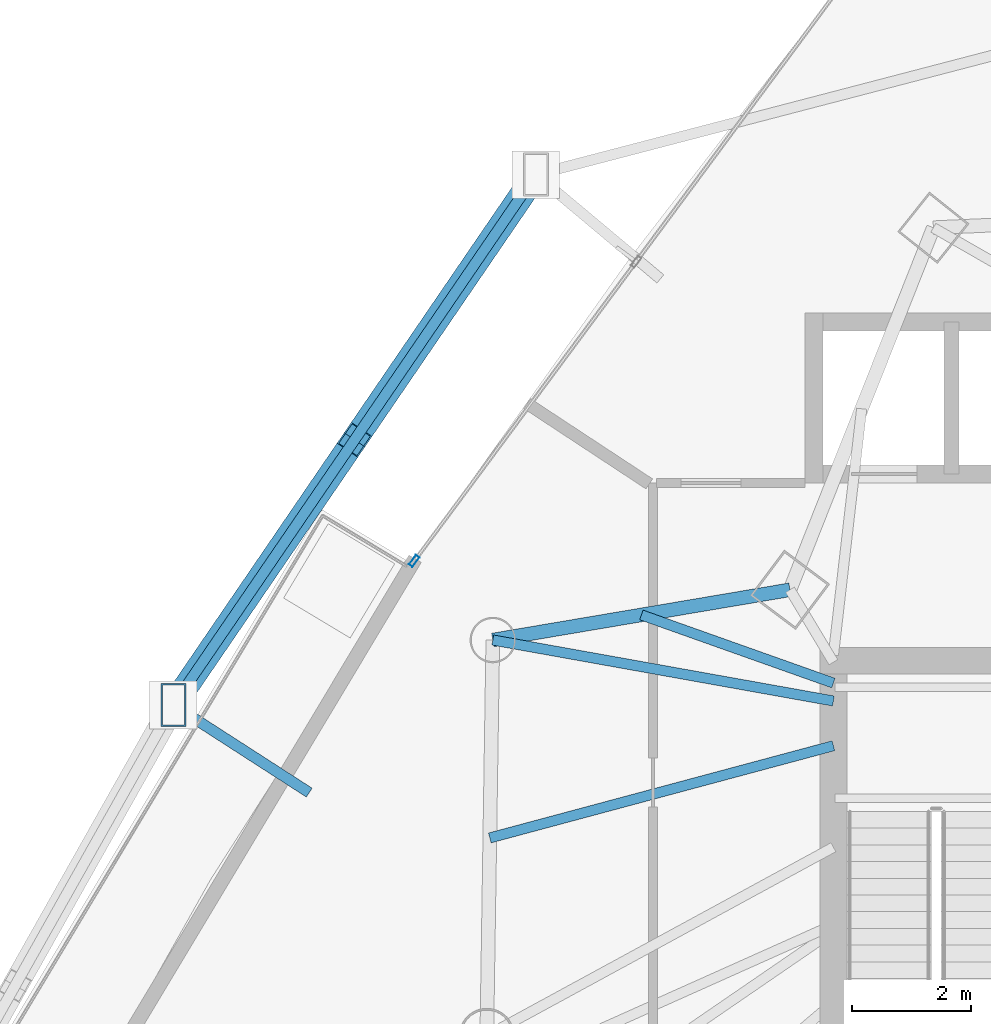
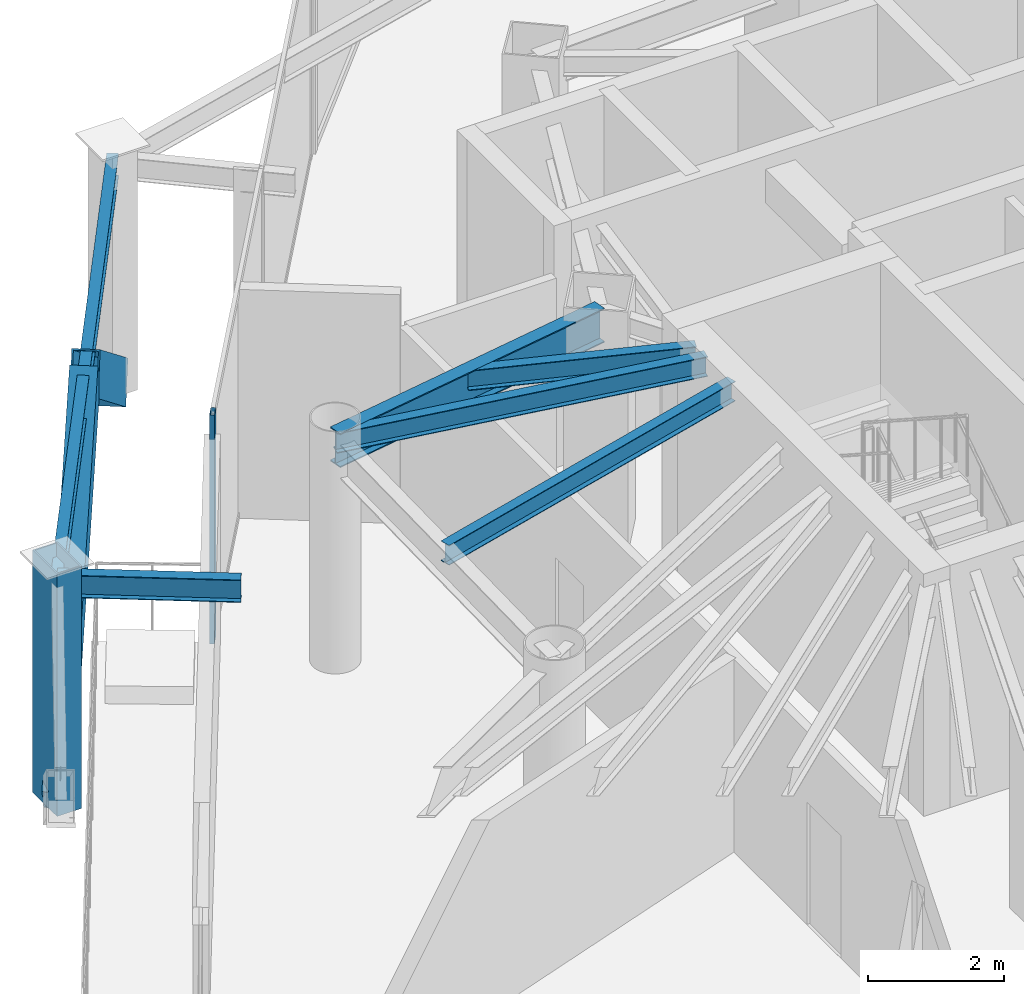
# One storey, part 19 of 33: 6 beams, 4 members, 1 element without a shape of its own.
"""IFC4 building model written with IfcOpenShell, lengths in metres."""

from ifc_helpers import new_model, si_unit, direction, frame, origin, origin_2d, place, context, subcontext, project, spatial, hollow_rectangle, i_section, extrude, material, layer, layer_set, material_profile, profile_set, type_object, element, aggregate, save


model = new_model("IFC4")

# Units and contexts
model_context = context("Model", 3, precision=1e-05, world=origin(), true_north=direction((0.0, 1.0)))
body_context = subcontext(model_context, "Body", "Model", "MODEL_VIEW")
ifc_project = project(units=[si_unit("LENGTHUNIT", "METRE"), si_unit("AREAUNIT", "SQUARE_METRE"), si_unit("VOLUMEUNIT", "CUBIC_METRE"), si_unit("PLANEANGLEUNIT", "RADIAN"), si_unit("MASSUNIT", "GRAM", prefix="KILO")], contexts=[model_context])

# Site, building, storey
site_placement = place(None, origin())
site = spatial("IfcSite", under=ifc_project, at=site_placement, CompositionType="ELEMENT")
building_placement = place(site_placement, origin())
building = spatial("IfcBuilding", under=site, at=building_placement, Name="Orvanel Arch Residences", CompositionType="ELEMENT")
storey_placement = place(building_placement, frame((0.0, 0.0, 59.89990234375)))
storey = spatial("IfcBuildingStorey", under=building, at=storey_placement, Name="L16", CompositionType="ELEMENT", Elevation=59.89990234375)

# Beams
ifc_material_1 = material(Name="Structural steel AS/NZS 3679.1 Grade 300 (300 MPa)", Category="steel")
ifc_material_profile_1 = material_profile(ifc_material_1, i_section(OverallWidth=0.1708984375, OverallDepth=0.35595703125, WebThickness=0.00732421875, FlangeThickness=0.011474609375, at=origin_2d()), Name="360UB50.7")
ifc_profile_set_1 = profile_set([ifc_material_profile_1], Name="Structural steel AS/NZS 3679.1 Grade 300 (300 MPa)")
beam_type_1 = type_object("IfcBeamType", Name="BJ-360UB", PredefinedType="JOIST", material=ifc_profile_set_1)
beam_1_placement = place(storey_placement, frame((26.375, 32.5, 3.93212890625), z_axis=(-0.965844838168, -0.259121107949, 0.0), x_axis=(0.259121107949, -0.965844838168, 0.0)))
element("IfcBeam", 1, at=beam_1_placement, inside=storey, type_object=beam_type_1, Name="L16 WNW Wing Floor Joist", PredefinedType="JOIST", context=body_context, shape_type="SweptSolid", body=[
    extrude(i_section(OverallWidth=0.1708984375, OverallDepth=0.35595703125, WebThickness=0.00732421875, FlangeThickness=0.011474609375, at=origin_2d()), origin(), (0.0, 0.0, 1.0), 5.95849609375),
])
beam_2_placement = place(storey_placement, frame((26.375, 33.25, 3.93212890625), z_axis=(-0.984360855662, 0.176163860766, 0.0), x_axis=(-0.176163860766, -0.984360855662, 0.0)))
element("IfcBeam", 2, at=beam_2_placement, inside=storey, type_object=beam_type_1, Name="L16 LW Wing Floor Joist", PredefinedType="JOIST", context=body_context, shape_type="SweptSolid", body=[
    extrude(i_section(OverallWidth=0.1708984375, OverallDepth=0.35595703125, WebThickness=0.00732421875, FlangeThickness=0.011474609375, at=origin_2d()), origin(), (0.0, 0.0, 1.0), 5.795654296875),
])
beam_3_placement = place(storey_placement, frame((26.375, 33.550048828125, 3.93212890625), z_axis=(-0.942366638377, 0.334582006201, 0.0), x_axis=(-0.334582006201, -0.942366638377, 0.0)))
element("IfcBeam", 3, at=beam_3_placement, inside=storey, type_object=beam_type_1, Name="L16 JADD3 Wing Floor Joist", PredefinedType="JOIST", context=body_context, shape_type="SweptSolid", body=[
    extrude(i_section(OverallWidth=0.1708984375, OverallDepth=0.35595703125, WebThickness=0.00732421875, FlangeThickness=0.011474609375, at=origin_2d()), origin(), (0.0, 0.0, 1.0), 3.412841796875),
])

# Members
ifc_material_2 = material(Name="Structural steel AS/NZS 3678 Grade 350", Category="steel")
ifc_material_profile_2 = material_profile(ifc_material_2, hollow_rectangle(XDim=0.419921875, YDim=0.719970703125, WallThickness=0.02490234375, at=origin_2d()), Name="RHS720x420x25")
ifc_profile_set_2 = profile_set([ifc_material_profile_2], Name="Structural steel AS/NZS 3678 Grade 350")
member_type_1 = type_object("IfcMemberType", Name="BR-720RHS-EXT", PredefinedType="BRACE", material=ifc_profile_set_2)
member_1_placement = place(storey_placement, frame((21.39111328125, 42.06689453125, 0.0), z_axis=(-0.456726395363, -0.667980710389, 0.587539590434), x_axis=(0.825487506352, -0.564420390185, 0.0)))
element("IfcMember", 4, at=member_1_placement, inside=storey, type_object=member_type_1, Name="L16 Exterior Sky-Garden V-Frame Chevron F1B1.1", PredefinedType="BRACE", context=body_context, shape_type="SweptSolid", body=[
    extrude(hollow_rectangle(XDim=0.419921875, YDim=0.719970703125, WallThickness=0.02490234375, at=origin_2d()), origin(), (0.0, 0.0, 1.0), 6.649658203125),
])
member_2_placement = place(storey_placement, frame((15.318115234375, 33.18310546875, 0.0), z_axis=(0.456581098264, 0.668036711042, 0.587588847247), x_axis=(-0.825593203103, 0.564265773364, 0.0)))
element("IfcMember", 5, at=member_2_placement, inside=storey, type_object=member_type_1, Name="L16 Exterior Sky-Garden V-Frame Chevron F1B1.2", PredefinedType="BRACE", context=body_context, shape_type="SweptSolid", body=[
    extrude(hollow_rectangle(XDim=0.419921875, YDim=0.719970703125, WallThickness=0.02490234375, at=origin_2d()), origin(), (0.0, 0.0, 1.0), 6.649169921875),
])
ifc_material_profile_3 = material_profile(ifc_material_2, hollow_rectangle(XDim=0.419921875, YDim=0.719970703125, WallThickness=0.02490234375, at=origin_2d()), Name="RHS720x420x25")
ifc_profile_set_3 = profile_set([ifc_material_profile_3], Name="Structural steel AS/NZS 3678 Grade 350")
member_type_2 = type_object("IfcMemberType", Name="CH-720RHS-EXT", PredefinedType="CHORD", material=ifc_profile_set_3)
member_3_placement = place(storey_placement, frame((15.318115234375, 33.18310546875, 0.0), z_axis=(0.0, 0.0, 1.0), x_axis=(1.0, 0.0, 0.0)))
element("IfcMember", 6, at=member_3_placement, inside=storey, type_object=member_type_2, Name="L16 Outer Perimeter Frame Post 02", PredefinedType="CHORD", context=body_context, shape_type="SweptSolid", body=[
    extrude(hollow_rectangle(XDim=0.419921875, YDim=0.719970703125, WallThickness=0.02490234375, at=origin_2d()), origin(), (0.0, 0.0, 1.0), 4.35009765625),
])

# Curtain wall, member
ifc_material_3 = material(Name="Bronze-anodised aluminium AA6063-T6", Category="aluminium")
ifc_layer = layer(ifc_material_3, 0.195068359375)
ifc_layer_set = layer_set([ifc_layer], Name="Bronze-anodised aluminium AA6063-T6")
curtain_wall_type = type_object("IfcCurtainWallType", Name="CW6-COM-SYS", PredefinedType="NOTDEFINED", material=ifc_layer_set)
curtain_wall_placement = place(storey_placement, origin())
curtain_wall = element("IfcCurtainWall", 7, at=curtain_wall_placement, inside=storey, type_object=curtain_wall_type, Name="L16 CW6-COM-SYS Unitised Curtain Wall", PredefinedType="NOTDEFINED")
ifc_material_profile_4 = material_profile(ifc_material_3, hollow_rectangle(XDim=0.074951171875, YDim=0.199951171875, WallThickness=0.0048828125, at=origin_2d()), Name="ALU200x75x5")
ifc_profile_set_4 = profile_set([ifc_material_profile_4], Name="Bronze-anodised aluminium AA6063-T6")
member_type_3 = type_object("IfcMemberType", Name="MUL-200x75", PredefinedType="MULLION", material=ifc_profile_set_4)
member_4_placement = place(storey_placement, frame((19.352294921875, 35.59521484375, 0.0), z_axis=(0.0, 0.0, 1.0), x_axis=(0.803152114823, -0.595774017942, 0.0)))
member_4 = element("IfcMember", 8, at=member_4_placement, type_object=member_type_3, Name="CW-S6 mullion 3", PredefinedType="MULLION", context=body_context, shape_type="SweptSolid", body=[
    extrude(hollow_rectangle(XDim=0.074951171875, YDim=0.199951171875, WallThickness=0.0048828125, at=origin_2d()), origin(), (0.0, 0.0, 1.0), 4.110107421875),
])
aggregate(curtain_wall, [member_4])

# Beams
ifc_material_profile_5 = material_profile(ifc_material_1, i_section(OverallWidth=0.177978515625, OverallDepth=0.406005859375, WebThickness=0.0078125, FlangeThickness=0.0126953125, at=origin_2d()), Name="410UB59.7")
ifc_profile_set_5 = profile_set([ifc_material_profile_5], Name="Structural steel AS/NZS 3679.1 Grade 300 (300 MPa)")
beam_type_2 = type_object("IfcBeamType", Name="OB-410UB-EXT", PredefinedType="SPANDREL", material=ifc_profile_set_5)
beam_4_placement = place(storey_placement, frame((21.39111328125, 42.06689453125, 3.906982421875), z_axis=(-0.564343089198, -0.825540354964, 0.0), x_axis=(0.825540354964, -0.564343089198, 0.0)))
element("IfcBeam", 9, at=beam_4_placement, inside=storey, type_object=beam_type_2, Name="L16 Outer Perimeter Floor Ring Beam 01", PredefinedType="SPANDREL", context=body_context, shape_type="SweptSolid", body=[
    extrude(i_section(OverallWidth=0.177978515625, OverallDepth=0.406005859375, WebThickness=0.0078125, FlangeThickness=0.0126953125, at=origin_2d()), origin(), (0.0, 0.0, 1.0), 10.76123046875),
])
beam_5_placement = place(storey_placement, frame((17.594970703125, 31.715087890625, 3.906982421875), z_axis=(-0.840451557991, 0.541886684345, 0.0), x_axis=(-0.541886684345, -0.840451557991, 0.0)))
element("IfcBeam", 10, at=beam_5_placement, inside=storey, type_object=beam_type_2, Name="L16 Outer Frame Radial Tie Beam 02", PredefinedType="SPANDREL", context=body_context, shape_type="SweptSolid", body=[
    extrude(i_section(OverallWidth=0.177978515625, OverallDepth=0.406005859375, WebThickness=0.0078125, FlangeThickness=0.0126953125, at=origin_2d()), origin(), (0.0, 0.0, 1.0), 2.708984375),
])
ifc_material_profile_6 = material_profile(ifc_material_1, i_section(OverallWidth=0.22900390625, OverallDepth=0.612060546875, WebThickness=0.011962890625, FlangeThickness=0.01953125, at=origin_2d()), Name="610UB125")
ifc_profile_set_6 = profile_set([ifc_material_profile_6], Name="Structural steel AS/NZS 3679.1 Grade 300 (300 MPa)")
beam_type_3 = type_object("IfcBeamType", Name="SP-610UB", PredefinedType="SPANDREL", material=ifc_profile_set_6)
beam_6_placement = place(storey_placement, frame((25.64794921875, 35.113037109375, 3.80419921875), z_axis=(-0.985993733897, -0.166782363326, 0.0), x_axis=(0.166782363326, -0.985993733897, 0.0)))
element("IfcBeam", 11, at=beam_6_placement, inside=storey, type_object=beam_type_3, Name="L16 Perimeter Spandrel Beam 19", PredefinedType="SPANDREL", context=body_context, shape_type="SweptSolid", body=[
    extrude(i_section(OverallWidth=0.22900390625, OverallDepth=0.612060546875, WebThickness=0.011962890625, FlangeThickness=0.01953125, at=origin_2d()), origin(), (0.0, 0.0, 1.0), 5.048828125),
])

save(model, "model.ifc")
